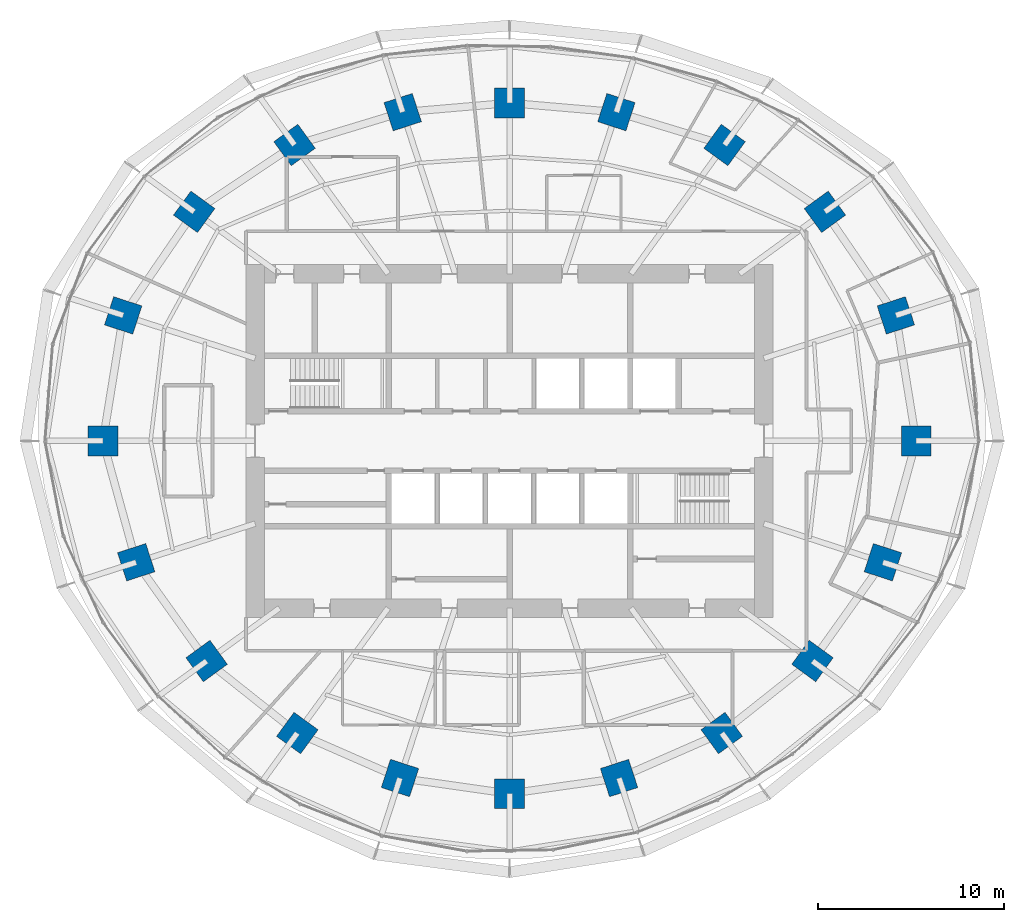
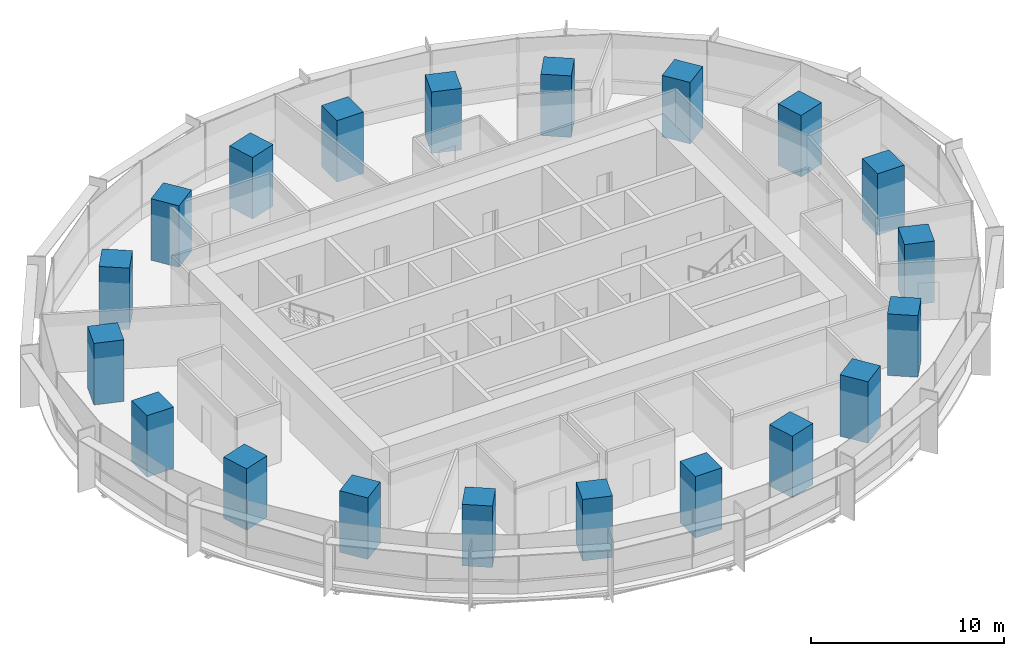
# One storey, part 1 of 14: 20 columns.
"""IFC4 building model written with IfcOpenShell, lengths in metres."""

from ifc_helpers import new_model, si_unit, direction, frame, origin, origin_2d, place, context, subcontext, project, spatial, rectangle, extrude, material, material_profile, profile_set, type_object, element, save


model = new_model("IFC4")

# Units and contexts
model_context = context("Model", 3, precision=1e-05, world=origin(), true_north=direction((0.0, 1.0)))
body_context = subcontext(model_context, "Body", "Model", "MODEL_VIEW")
ifc_project = project(units=[si_unit("LENGTHUNIT", "METRE"), si_unit("AREAUNIT", "SQUARE_METRE"), si_unit("VOLUMEUNIT", "CUBIC_METRE"), si_unit("PLANEANGLEUNIT", "RADIAN"), si_unit("MASSUNIT", "GRAM", prefix="KILO")], contexts=[model_context])

# Site, building, storey
site_placement = place(None, origin())
site = spatial("IfcSite", under=ifc_project, at=site_placement, CompositionType="ELEMENT")
building_placement = place(site_placement, origin())
building = spatial("IfcBuilding", under=site, at=building_placement, Name="Marramba Exchange Tower", CompositionType="ELEMENT")
storey_placement = place(building_placement, frame((0.0, 0.0, 127.5)))
storey = spatial("IfcBuildingStorey", under=building, at=storey_placement, Name="L30", CompositionType="ELEMENT", Elevation=127.5)

# Columns
ifc_material = material(Name="Concrete N50", Category="concrete")
ifc_material_profile = material_profile(ifc_material, rectangle(XDim=1.60009765625, YDim=1.60009765625, at=origin_2d()), Name="RC 1600x1600")
ifc_profile_set = profile_set([ifc_material_profile], Name="Concrete N50")
column_type = type_object("IfcColumnType", Name="Perimeter column RC 1600x1600 N50", PredefinedType="COLUMN", material=ifc_profile_set)
for number, where, z_axis, x_axis, name in (
    (1, (21.89990234375, 0.0, 0.0), (0.0, 0.0, 1.0), (1.0, 0.0, 0.0), "Column TC01 L30"),
    (2, (20.808349609375, 6.760986328125, 0.0), (0.0, 0.0, 1.0), (0.951056516295, 0.309016994375, 0.0), "Column TC02 L30"),
    (3, (16.98583984375, 12.3408203125, 0.0), (0.0, 0.0, 1.0), (0.809016994375, 0.587785252292, 0.0), "Column TC03 L30"),
    (4, (11.581298828125, 15.9404296875, 0.0), (0.0, 0.0, 1.0), (0.587785252292, 0.809016994375, 0.0), "Column TC04 L30"),
    (5, (5.75390625, 17.70849609375, 0.0), (0.0, 0.0, 1.0), (0.309016994375, 0.951056516295, 0.0), "Column TC05 L30"),
    (6, (0.0, 18.2041015625, 0.0), (0.0, 0.0, 1.0), (0.0, 1.0, 0.0), "Column TC06 L30"),
    (7, (-5.75390625, 17.70849609375, 0.0), (0.0, 0.0, 1.0), (-0.309016994375, 0.951056516295, 0.0), "Column TC07 L30"),
    (8, (-11.581298828125, 15.9404296875, 0.0), (0.0, 0.0, 1.0), (-0.587785252292, 0.809016994375, 0.0), "Column TC08 L30"),
    (9, (-16.98583984375, 12.3408203125, 0.0), (0.0, 0.0, 1.0), (-0.809016994375, 0.587785252292, 0.0), "Column TC09 L30"),
    (10, (-20.808349609375, 6.760986328125, 0.0), (0.0, 0.0, 1.0), (-0.951056516295, 0.309016994375, 0.0), "Column TC10 L30"),
    (11, (-21.89990234375, 0.0, 0.0), (0.0, 0.0, 1.0), (-1.0, 0.0, 0.0), "Column TC11 L30"),
    (12, (-20.109375, -6.533935546875, 0.0), (0.0, 0.0, 1.0), (-0.951056516295, -0.309016994375, 0.0), "Column TC12 L30"),
    (13, (-16.3154296875, -11.853759765625, 0.0), (0.0, 0.0, 1.0), (-0.809016994375, -0.587785252292, 0.0), "Column TC13 L30"),
    (14, (-11.430419921875, -15.732666015625, 0.0), (0.0, 0.0, 1.0), (-0.587785252292, -0.809016994375, 0.0), "Column TC14 L30"),
    (15, (-5.899658203125, -18.156982421875, 0.0), (0.0, 0.0, 1.0), (-0.309016994375, -0.951056516295, 0.0), "Column TC15 L30"),
    (16, (0.0, -18.99609375, 0.0), (0.0, 0.0, 1.0), (0.0, -1.0, 0.0), "Column TC16 L30"),
    (17, (5.899658203125, -18.156982421875, 0.0), (0.0, 0.0, 1.0), (0.309016994375, -0.951056516295, 0.0), "Column TC17 L30"),
    (18, (11.430419921875, -15.732666015625, 0.0), (0.0, 0.0, 1.0), (0.587785252292, -0.809016994375, 0.0), "Column TC18 L30"),
    (19, (16.3154296875, -11.853759765625, 0.0), (0.0, 0.0, 1.0), (0.809016994375, -0.587785252292, 0.0), "Column TC19 L30"),
    (20, (20.109375, -6.533935546875, 0.0), (0.0, 0.0, 1.0), (0.951056516295, -0.309016994375, 0.0), "Column TC20 L30"),
):
    element("IfcColumn", number, at=place(storey_placement, frame(where, z_axis=z_axis, x_axis=x_axis)), inside=storey, type_object=column_type, Name=name, PredefinedType="COLUMN", context=body_context, shape_type="SweptSolid", body=[
        extrude(rectangle(XDim=1.60009765625, YDim=1.60009765625, at=origin_2d()), origin(), (0.0, 0.0, 1.0), 3.89990234375),
    ])

save(model, "model.ifc")
